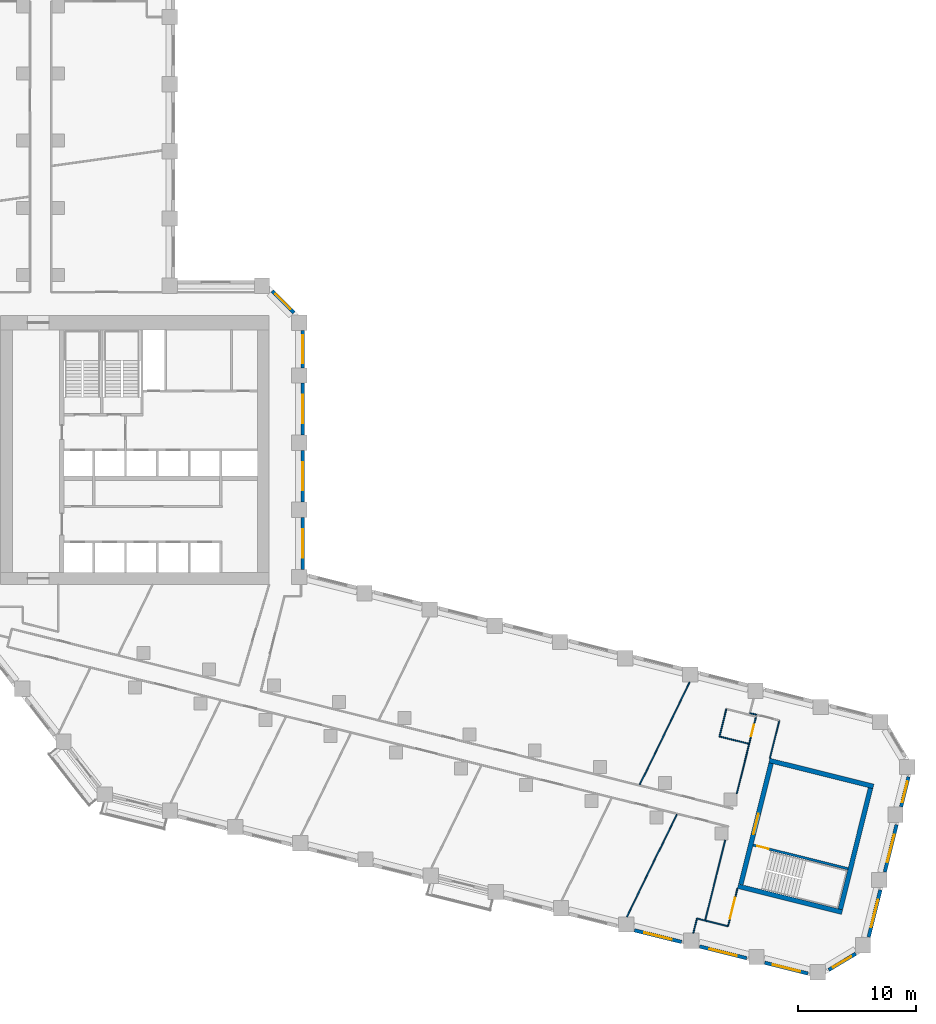
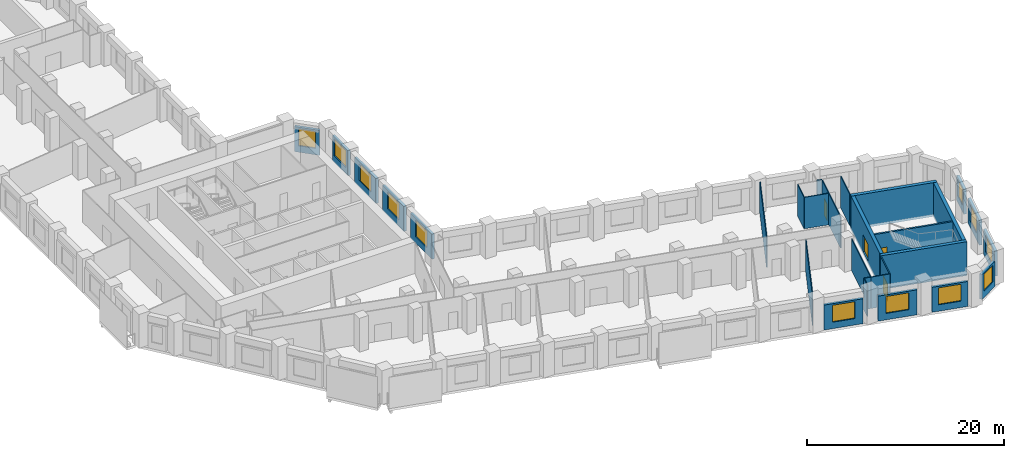
# One storey, part 6 of 11: 29 walls, 12 windows, 4 doors, 16 openings.
"""IFC4 building model written with IfcOpenShell, lengths in metres."""

from ifc_helpers import new_model, si_unit, direction, frame, frame_2d, origin, place, context, subcontext, project, spatial, rectangle, extrude, material, layer, layer_set, type_object, element, fill, save


model = new_model("IFC4")

# Units and contexts
model_context = context("Model", 3, precision=1e-05, world=origin(), true_north=direction((0.0, 1.0)))
body_context = subcontext(model_context, "Body", "Model", "MODEL_VIEW")
ifc_project = project(units=[si_unit("LENGTHUNIT", "METRE"), si_unit("AREAUNIT", "SQUARE_METRE"), si_unit("VOLUMEUNIT", "CUBIC_METRE"), si_unit("PLANEANGLEUNIT", "RADIAN"), si_unit("MASSUNIT", "GRAM", prefix="KILO")], contexts=[model_context])

# Site, building, storey
site_placement = place(None, origin())
site = spatial("IfcSite", under=ifc_project, at=site_placement, CompositionType="ELEMENT")
building_placement = place(site_placement, origin())
building = spatial("IfcBuilding", under=site, at=building_placement, Name="Meshkara Civic Tower", CompositionType="ELEMENT")
storey_placement = place(building_placement, frame((0.0, 0.0, 105.60009765625)))
storey = spatial("IfcBuildingStorey", under=building, at=storey_placement, Name="L23", CompositionType="ELEMENT", Elevation=105.60009765625)

# Walls
ifc_material_1 = material(Name="Corridor wall 100")
ifc_layer_1 = layer(ifc_material_1, 0.10009765625)
ifc_layer_set_1 = layer_set([ifc_layer_1], Name="Corridor wall 100")
wall_type_1 = type_object("IfcWallType", Name="Corridor wall 100", PredefinedType="PARTITIONING", material=ifc_layer_set_1)
wall_1_placement = place(storey_placement, frame((67.79296875, -14.428955078125, 0.0), z_axis=(0.0, 0.0, 1.0), x_axis=(0.9702715884, -0.242018686767, 0.0)))
element("IfcWall", 1, at=wall_1_placement, inside=storey, type_object=wall_type_1, Name="L23-W025", PredefinedType="PARTITIONING", context=body_context, shape_type="SweptSolid", body=[
    extrude(rectangle(XDim=2.00048828125, YDim=0.10009765625, at=frame_2d((1.000244140625, 0.0))), origin(), (0.0, 0.0, 1.0), 3.89990234375),
])
wall_2_placement = place(storey_placement, frame((69.49609375, -7.60009765625, 0.0), z_axis=(0.0, 0.0, 1.0), x_axis=(-0.241988728544, -0.970279060507, 0.0)))
element("IfcWall", 2, at=wall_2_placement, inside=storey, type_object=wall_type_1, Name="L23-W026", PredefinedType="PARTITIONING", context=body_context, shape_type="SweptSolid", body=[
    extrude(rectangle(XDim=7.0380859375, YDim=0.10009765625, at=frame_2d((3.51904296875, 0.0))), origin(), (0.0, 0.0, 1.0), 3.89990234375),
])

# Wall, opening, door
wall_3_placement = place(storey_placement, frame((69.73388671875, -14.9130859375, 0.0), z_axis=(0.0, 0.0, 1.0), x_axis=(0.241839284064, 0.97031631991, 0.0)))
wall_3 = element("IfcWall", 3, at=wall_3_placement, inside=storey, type_object=wall_type_1, Name="L23-W027", PredefinedType="PARTITIONING", context=body_context, shape_type="SweptSolid", body=[
    extrude(rectangle(XDim=3.300048828125, YDim=0.10009765625, at=frame_2d((1.64990234375, 0.0))), origin(), (0.0, 0.0, 1.0), 3.89990234375),
])
opening_1_placement = place(wall_3_placement, frame((0.679931640625, 0.0, 0.0)))
opening_1 = element("IfcOpeningElement", 4, at=opening_1_placement, cuts=wall_3, Name="Opening L23-D001", PredefinedType="OPENING", context=body_context, shape_type="SweptSolid", body=[
    extrude(rectangle(XDim=1.800048828125, YDim=2.10009765625, at=frame_2d((0.89990234375, 1.050048828125))), frame((0.0, 0.06005859375, 0.0), z_axis=(0.0, -1.0, 0.0), x_axis=(1.0, 0.0, 0.0)), (0.0, 0.0, 1.0), 0.1201171875),
])
ifc_material_2 = material(Name="Door pair 1800 x 2100")
door_type_1 = type_object("IfcDoorType", Name="Door pair 1800 x 2100", OperationType="SINGLE_SWING_LEFT", PredefinedType="DOOR", material=ifc_material_2)
door_1_placement = place(opening_1_placement, origin())
door_1 = element("IfcDoor", 5, at=door_1_placement, inside=storey, type_object=door_type_1, Name="L23-D001", OperationType="DOUBLE_DOOR_SINGLE_SWING", OverallHeight=2.10009765625, OverallWidth=1.800048828125, PredefinedType="DOOR", context=body_context, shape_type="SweptSolid", body=[
    extrude(rectangle(XDim=1.800048828125, YDim=2.10009765625, at=frame_2d((0.89990234375, 1.050048828125))), frame((0.0, 0.02490234375, 0.0), z_axis=(0.0, -1.0, 0.0), x_axis=(1.0, 0.0, 0.0)), (0.0, 0.0, 1.0), 0.050048828125),
])
fill(opening_1, door_1)

wall_4_placement = place(storey_placement, frame((70.47607421875, -3.6689453125, 0.0), z_axis=(0.0, 0.0, 1.0), x_axis=(0.242017211246, 0.970271956443, 0.0)))
wall_4 = element("IfcWall", 6, at=wall_4_placement, inside=storey, type_object=wall_type_1, Name="L23-W028", PredefinedType="PARTITIONING", context=body_context, shape_type="SweptSolid", body=[
    extrude(rectangle(XDim=6.759765625, YDim=0.10009765625, at=frame_2d((3.3798828125, 0.0))), origin(), (0.0, 0.0, 1.0), 3.89990234375),
])
opening_2_placement = place(wall_4_placement, frame((5.0400390625, 0.0, 0.0)))
opening_2 = element("IfcOpeningElement", 7, at=opening_2_placement, cuts=wall_4, Name="Opening L23-D012", PredefinedType="OPENING", context=body_context, shape_type="SweptSolid", body=[
    extrude(rectangle(XDim=1.0, YDim=2.10009765625, at=frame_2d((0.5, 1.050048828125))), frame((0.0, 0.06005859375, 0.0), z_axis=(0.0, -1.0, 0.0), x_axis=(1.0, 0.0, 0.0)), (0.0, 0.0, 1.0), 0.1201171875),
])
ifc_material_3 = material(Name="Door 1000 x 2100")
door_type_2 = type_object("IfcDoorType", Name="Door 1000 x 2100", OperationType="SINGLE_SWING_LEFT", PredefinedType="DOOR", material=ifc_material_3)
door_2_placement = place(opening_2_placement, origin())
door_2 = element("IfcDoor", 8, at=door_2_placement, inside=storey, type_object=door_type_2, Name="L23-D012", OperationType="SINGLE_SWING_LEFT", OverallHeight=2.10009765625, OverallWidth=1.0, PredefinedType="DOOR", context=body_context, shape_type="SweptSolid", body=[
    extrude(rectangle(XDim=1.0, YDim=2.10009765625, at=frame_2d((0.5, 1.050048828125))), frame((0.0, 0.02490234375, 0.0), z_axis=(0.0, -1.0, 0.0), x_axis=(1.0, 0.0, 0.0)), (0.0, 0.0, 1.0), 0.050048828125),
])
fill(opening_2, door_2)

# Wall
wall_5_placement = place(storey_placement, frame((73.2900390625, -0.64990234375, 0.0), z_axis=(0.0, 0.0, 1.0), x_axis=(0.241786986316, 0.970329352977, 0.0)))
element("IfcWall", 9, at=wall_5_placement, inside=storey, type_object=wall_type_1, Name="L23-W029", PredefinedType="PARTITIONING", context=body_context, shape_type="SweptSolid", body=[
    extrude(rectangle(XDim=3.2998046875, YDim=0.10009765625, at=frame_2d((1.64990234375, 0.0))), origin(), (0.0, 0.0, 1.0), 3.89990234375),
])

# Wall, opening, window
ifc_material_4 = material(Name="Insulated infill panel with bronze anodised aluminium cladding", Category="aluminium")
ifc_layer_2 = layer(ifc_material_4, 0.300048828125)
ifc_layer_set_2 = layer_set([ifc_layer_2], Name="EXTERNAL INFILL WALL 300")
wall_type_2 = type_object("IfcWallType", Name="EXTERNAL INFILL WALL 300", PredefinedType="SOLIDWALL", material=ifc_layer_set_2)
wall_6_placement = place(storey_placement, frame((33.64990234375, 15.368896484375, 0.0), z_axis=(0.0, 0.0, 1.0), x_axis=(0.0, 1.0, 0.0)))
wall_6 = element("IfcWall", 10, at=wall_6_placement, inside=storey, type_object=wall_type_2, Name="External wall", PredefinedType="SOLIDWALL", context=body_context, shape_type="SweptSolid", body=[
    extrude(rectangle(XDim=4.400146484375, YDim=0.300048828125, at=frame_2d((2.2001953125, 0.0))), origin(), (0.0, 0.0, 1.0), 3.099853515625),
])
opening_3_placement = place(wall_6_placement, frame((1.0, 0.0, 0.800048828125)))
opening_3 = element("IfcOpeningElement", 11, at=opening_3_placement, cuts=wall_6, Name="Opening W7", PredefinedType="OPENING", context=body_context, shape_type="SweptSolid", body=[
    extrude(rectangle(XDim=2.39990234375, YDim=2.10009765625, at=frame_2d((1.199951171875, 1.050048828125))), frame((0.0, 0.159912109375, 0.0), z_axis=(0.0, -1.0, 0.0), x_axis=(1.0, 0.0, 0.0)), (0.0, 0.0, 1.0), 0.320068359375),
])
ifc_material_5 = material(Name="Tinted double glazing", Category="glass")
window_type_1 = type_object("IfcWindowType", Name="WINDOW 2400x2100", PartitioningType="DOUBLE_PANEL_VERTICAL", PredefinedType="WINDOW", material=ifc_material_5)
window_1_placement = place(opening_3_placement, origin())
window_1 = element("IfcWindow", 12, at=window_1_placement, inside=storey, type_object=window_type_1, Name="Window", OverallHeight=2.10009765625, OverallWidth=2.39990234375, PartitioningType="DOUBLE_PANEL_VERTICAL", PredefinedType="WINDOW", context=body_context, shape_type="SweptSolid", body=[
    extrude(rectangle(XDim=2.39990234375, YDim=2.10009765625, at=frame_2d((1.199951171875, 1.050048828125))), frame((0.0, 0.030029296875, 0.0), z_axis=(0.0, -1.0, 0.0), x_axis=(1.0, 0.0, 0.0)), (0.0, 0.0, 1.0), 0.06005859375),
])
fill(opening_3, window_1)

wall_7_placement = place(storey_placement, frame((33.64990234375, 21.069091796875, 0.0), z_axis=(0.0, 0.0, 1.0), x_axis=(0.0, 1.0, 0.0)))
wall_7 = element("IfcWall", 13, at=wall_7_placement, inside=storey, type_object=wall_type_2, Name="External wall", PredefinedType="SOLIDWALL", context=body_context, shape_type="SweptSolid", body=[
    extrude(rectangle(XDim=4.39990234375, YDim=0.300048828125, at=frame_2d((2.199951171875, 0.0))), origin(), (0.0, 0.0, 1.0), 3.099853515625),
])
opening_4_placement = place(wall_7_placement, frame((1.0, 0.0, 0.800048828125)))
opening_4 = element("IfcOpeningElement", 14, at=opening_4_placement, cuts=wall_7, Name="Opening W7", PredefinedType="OPENING", context=body_context, shape_type="SweptSolid", body=[
    extrude(rectangle(XDim=2.39990234375, YDim=2.10009765625, at=frame_2d((1.199951171875, 1.050048828125))), frame((0.0, 0.159912109375, 0.0), z_axis=(0.0, -1.0, 0.0), x_axis=(1.0, 0.0, 0.0)), (0.0, 0.0, 1.0), 0.320068359375),
])
window_2_placement = place(opening_4_placement, origin())
window_2 = element("IfcWindow", 15, at=window_2_placement, inside=storey, type_object=window_type_1, Name="Window", OverallHeight=2.10009765625, OverallWidth=2.39990234375, PartitioningType="DOUBLE_PANEL_VERTICAL", PredefinedType="WINDOW", context=body_context, shape_type="SweptSolid", body=[
    extrude(rectangle(XDim=2.39990234375, YDim=2.10009765625, at=frame_2d((1.199951171875, 1.050048828125))), frame((0.0, 0.030029296875, 0.0), z_axis=(0.0, -1.0, 0.0), x_axis=(1.0, 0.0, 0.0)), (0.0, 0.0, 1.0), 0.06005859375),
])
fill(opening_4, window_2)

wall_8_placement = place(storey_placement, frame((33.64990234375, 26.76904296875, 0.0), z_axis=(0.0, 0.0, 1.0), x_axis=(0.0, 1.0, 0.0)))
wall_8 = element("IfcWall", 16, at=wall_8_placement, inside=storey, type_object=wall_type_2, Name="External wall", PredefinedType="SOLIDWALL", context=body_context, shape_type="SweptSolid", body=[
    extrude(rectangle(XDim=4.39990234375, YDim=0.300048828125, at=frame_2d((2.199951171875, 0.0))), origin(), (0.0, 0.0, 1.0), 3.099853515625),
])
opening_5_placement = place(wall_8_placement, frame((1.0, 0.0, 0.800048828125)))
opening_5 = element("IfcOpeningElement", 17, at=opening_5_placement, cuts=wall_8, Name="Opening W7", PredefinedType="OPENING", context=body_context, shape_type="SweptSolid", body=[
    extrude(rectangle(XDim=2.39990234375, YDim=2.10009765625, at=frame_2d((1.199951171875, 1.050048828125))), frame((0.0, 0.159912109375, 0.0), z_axis=(0.0, -1.0, 0.0), x_axis=(1.0, 0.0, 0.0)), (0.0, 0.0, 1.0), 0.320068359375),
])
window_3_placement = place(opening_5_placement, origin())
window_3 = element("IfcWindow", 18, at=window_3_placement, inside=storey, type_object=window_type_1, Name="Window", OverallHeight=2.10009765625, OverallWidth=2.39990234375, PartitioningType="DOUBLE_PANEL_VERTICAL", PredefinedType="WINDOW", context=body_context, shape_type="SweptSolid", body=[
    extrude(rectangle(XDim=2.39990234375, YDim=2.10009765625, at=frame_2d((1.199951171875, 1.050048828125))), frame((0.0, 0.030029296875, 0.0), z_axis=(0.0, -1.0, 0.0), x_axis=(1.0, 0.0, 0.0)), (0.0, 0.0, 1.0), 0.06005859375),
])
fill(opening_5, window_3)

wall_9_placement = place(storey_placement, frame((33.64990234375, 32.468994140625, 0.0), z_axis=(0.0, 0.0, 1.0), x_axis=(0.0, 1.0, 0.0)))
wall_9 = element("IfcWall", 19, at=wall_9_placement, inside=storey, type_object=wall_type_2, Name="External wall", PredefinedType="SOLIDWALL", context=body_context, shape_type="SweptSolid", body=[
    extrude(rectangle(XDim=3.175048828125, YDim=0.300048828125, at=frame_2d((1.58740234375, 0.0))), origin(), (0.0, 0.0, 1.0), 3.099853515625),
])
opening_6_placement = place(wall_9_placement, frame((0.387939453125, 0.0, 0.800048828125)))
opening_6 = element("IfcOpeningElement", 20, at=opening_6_placement, cuts=wall_9, Name="Opening W7", PredefinedType="OPENING", context=body_context, shape_type="SweptSolid", body=[
    extrude(rectangle(XDim=2.39990234375, YDim=2.10009765625, at=frame_2d((1.199951171875, 1.050048828125))), frame((0.0, 0.159912109375, 0.0), z_axis=(0.0, -1.0, 0.0), x_axis=(1.0, 0.0, 0.0)), (0.0, 0.0, 1.0), 0.320068359375),
])
window_4_placement = place(opening_6_placement, origin())
window_4 = element("IfcWindow", 21, at=window_4_placement, inside=storey, type_object=window_type_1, Name="Window", OverallHeight=2.10009765625, OverallWidth=2.39990234375, PartitioningType="DOUBLE_PANEL_VERTICAL", PredefinedType="WINDOW", context=body_context, shape_type="SweptSolid", body=[
    extrude(rectangle(XDim=2.39990234375, YDim=2.10009765625, at=frame_2d((1.199951171875, 1.050048828125))), frame((0.0, 0.030029296875, 0.0), z_axis=(0.0, -1.0, 0.0), x_axis=(1.0, 0.0, 0.0)), (0.0, 0.0, 1.0), 0.06005859375),
])
fill(opening_6, window_4)

wall_10_placement = place(storey_placement, frame((32.912109375, 37.156005859375, 0.0), z_axis=(0.0, 0.0, 1.0), x_axis=(-0.707153284542, 0.707060274772, 0.0)))
wall_10 = element("IfcWall", 22, at=wall_10_placement, inside=storey, type_object=wall_type_2, Name="External wall", PredefinedType="SOLIDWALL", context=body_context, shape_type="SweptSolid", body=[
    extrude(rectangle(XDim=2.625, YDim=0.300048828125, at=frame_2d((1.3125, 0.0))), origin(), (0.0, 0.0, 1.0), 3.099853515625),
])
opening_7_placement = place(wall_10_placement, frame((0.412109375, 0.0, 0.800048828125)))
opening_7 = element("IfcOpeningElement", 23, at=opening_7_placement, cuts=wall_10, Name="Opening W9", PredefinedType="OPENING", context=body_context, shape_type="SweptSolid", body=[
    extrude(rectangle(XDim=1.800048828125, YDim=2.10009765625, at=frame_2d((0.89990234375, 1.050048828125))), frame((0.0, 0.159912109375, 0.0), z_axis=(0.0, -1.0, 0.0), x_axis=(1.0, 0.0, 0.0)), (0.0, 0.0, 1.0), 0.320068359375),
])
ifc_material_6 = material(Name="Tinted double glazing", Category="glass")
window_type_2 = type_object("IfcWindowType", Name="WINDOW 1800x2100", PartitioningType="DOUBLE_PANEL_VERTICAL", PredefinedType="WINDOW", material=ifc_material_6)
window_5_placement = place(opening_7_placement, origin())
window_5 = element("IfcWindow", 24, at=window_5_placement, inside=storey, type_object=window_type_2, Name="Window", OverallHeight=2.10009765625, OverallWidth=1.800048828125, PartitioningType="DOUBLE_PANEL_VERTICAL", PredefinedType="WINDOW", context=body_context, shape_type="SweptSolid", body=[
    extrude(rectangle(XDim=1.800048828125, YDim=2.10009765625, at=frame_2d((0.89990234375, 1.050048828125))), frame((0.0, 0.030029296875, 0.0), z_axis=(0.0, -1.0, 0.0), x_axis=(1.0, 0.0, 0.0)), (0.0, 0.0, 1.0), 0.06005859375),
])
fill(opening_7, window_5)

wall_11_placement = place(storey_placement, frame((61.7890625, -15.2509765625, 0.0), z_axis=(0.0, 0.0, 1.0), x_axis=(0.970323340708, -0.24181111322, 0.0)))
wall_11 = element("IfcWall", 25, at=wall_11_placement, inside=storey, type_object=wall_type_2, Name="External wall", PredefinedType="SOLIDWALL", context=body_context, shape_type="SweptSolid", body=[
    extrude(rectangle(XDim=4.123291015625, YDim=0.300048828125, at=frame_2d((2.0615234375, 0.0))), origin(), (0.0, 0.0, 1.0), 3.099853515625),
])
opening_8_placement = place(wall_11_placement, frame((0.862060546875, 0.0, 0.800048828125)))
opening_8 = element("IfcOpeningElement", 26, at=opening_8_placement, cuts=wall_11, Name="Opening W7", PredefinedType="OPENING", context=body_context, shape_type="SweptSolid", body=[
    extrude(rectangle(XDim=2.39990234375, YDim=2.10009765625, at=frame_2d((1.199951171875, 1.050048828125))), frame((0.0, 0.159912109375, 0.0), z_axis=(0.0, -1.0, 0.0), x_axis=(1.0, 0.0, 0.0)), (0.0, 0.0, 1.0), 0.320068359375),
])
window_6_placement = place(opening_8_placement, origin())
window_6 = element("IfcWindow", 27, at=window_6_placement, inside=storey, type_object=window_type_1, Name="Window", OverallHeight=2.10009765625, OverallWidth=2.39990234375, PartitioningType="DOUBLE_PANEL_VERTICAL", PredefinedType="WINDOW", context=body_context, shape_type="SweptSolid", body=[
    extrude(rectangle(XDim=2.39990234375, YDim=2.10009765625, at=frame_2d((1.199951171875, 1.050048828125))), frame((0.0, 0.030029296875, 0.0), z_axis=(0.0, -1.0, 0.0), x_axis=(1.0, 0.0, 0.0)), (0.0, 0.0, 1.0), 0.06005859375),
])
fill(opening_8, window_6)

wall_12_placement = place(storey_placement, frame((67.319091796875, -16.6298828125, 0.0), z_axis=(0.0, 0.0, 1.0), x_axis=(0.970337184445, -0.241755555227, 0.0)))
wall_12 = element("IfcWall", 28, at=wall_12_placement, inside=storey, type_object=wall_type_2, Name="External wall", PredefinedType="SOLIDWALL", context=body_context, shape_type="SweptSolid", body=[
    extrude(rectangle(XDim=4.124267578125, YDim=0.300048828125, at=frame_2d((2.06201171875, 0.0))), origin(), (0.0, 0.0, 1.0), 3.099853515625),
])
opening_9_placement = place(wall_12_placement, frame((0.862060546875, 0.0, 0.800048828125)))
opening_9 = element("IfcOpeningElement", 29, at=opening_9_placement, cuts=wall_12, Name="Opening W7", PredefinedType="OPENING", context=body_context, shape_type="SweptSolid", body=[
    extrude(rectangle(XDim=2.39990234375, YDim=2.10009765625, at=frame_2d((1.199951171875, 1.050048828125))), frame((0.0, 0.159912109375, 0.0), z_axis=(0.0, -1.0, 0.0), x_axis=(1.0, 0.0, 0.0)), (0.0, 0.0, 1.0), 0.320068359375),
])
window_7_placement = place(opening_9_placement, origin())
window_7 = element("IfcWindow", 30, at=window_7_placement, inside=storey, type_object=window_type_1, Name="Window", OverallHeight=2.10009765625, OverallWidth=2.39990234375, PartitioningType="DOUBLE_PANEL_VERTICAL", PredefinedType="WINDOW", context=body_context, shape_type="SweptSolid", body=[
    extrude(rectangle(XDim=2.39990234375, YDim=2.10009765625, at=frame_2d((1.199951171875, 1.050048828125))), frame((0.0, 0.030029296875, 0.0), z_axis=(0.0, -1.0, 0.0), x_axis=(1.0, 0.0, 0.0)), (0.0, 0.0, 1.0), 0.06005859375),
])
fill(opening_9, window_7)

wall_13_placement = place(storey_placement, frame((72.85009765625, -18.009033203125, 0.0), z_axis=(0.0, 0.0, 1.0), x_axis=(0.970309295155, -0.241867467295, 0.0)))
wall_13 = element("IfcWall", 31, at=wall_13_placement, inside=storey, type_object=wall_type_2, Name="External wall", PredefinedType="SOLIDWALL", context=body_context, shape_type="SweptSolid", body=[
    extrude(rectangle(XDim=3.783203125, YDim=0.300048828125, at=frame_2d((1.8916015625, 0.0))), origin(), (0.0, 0.0, 1.0), 3.099853515625),
])
opening_10_placement = place(wall_13_placement, frame((0.69189453125, 0.0, 0.800048828125)))
opening_10 = element("IfcOpeningElement", 32, at=opening_10_placement, cuts=wall_13, Name="Opening W7", PredefinedType="OPENING", context=body_context, shape_type="SweptSolid", body=[
    extrude(rectangle(XDim=2.39990234375, YDim=2.10009765625, at=frame_2d((1.199951171875, 1.050048828125))), frame((0.0, 0.159912109375, 0.0), z_axis=(0.0, -1.0, 0.0), x_axis=(1.0, 0.0, 0.0)), (0.0, 0.0, 1.0), 0.320068359375),
])
window_8_placement = place(opening_10_placement, origin())
window_8 = element("IfcWindow", 33, at=window_8_placement, inside=storey, type_object=window_type_1, Name="Window", OverallHeight=2.10009765625, OverallWidth=2.39990234375, PartitioningType="DOUBLE_PANEL_VERTICAL", PredefinedType="WINDOW", context=body_context, shape_type="SweptSolid", body=[
    extrude(rectangle(XDim=2.39990234375, YDim=2.10009765625, at=frame_2d((1.199951171875, 1.050048828125))), frame((0.0, 0.030029296875, 0.0), z_axis=(0.0, -1.0, 0.0), x_axis=(1.0, 0.0, 0.0)), (0.0, 0.0, 1.0), 0.06005859375),
])
fill(opening_10, window_8)

wall_14_placement = place(storey_placement, frame((78.277099609375, -18.62109375, 0.0), z_axis=(0.0, 0.0, 1.0), x_axis=(0.857066424989, 0.515205923061, 0.0)))
wall_14 = element("IfcWall", 34, at=wall_14_placement, inside=storey, type_object=wall_type_2, Name="External wall", PredefinedType="SOLIDWALL", context=body_context, shape_type="SweptSolid", body=[
    extrude(rectangle(XDim=2.6787109375, YDim=0.300048828125, at=frame_2d((1.33935546875, 0.0))), origin(), (0.0, 0.0, 1.0), 3.099853515625),
])
opening_11_placement = place(wall_14_placement, frame((0.43896484375, 0.0, 0.800048828125)))
opening_11 = element("IfcOpeningElement", 35, at=opening_11_placement, cuts=wall_14, Name="Opening W9", PredefinedType="OPENING", context=body_context, shape_type="SweptSolid", body=[
    extrude(rectangle(XDim=1.800048828125, YDim=2.10009765625, at=frame_2d((0.89990234375, 1.050048828125))), frame((0.0, 0.159912109375, 0.0), z_axis=(0.0, -1.0, 0.0), x_axis=(1.0, 0.0, 0.0)), (0.0, 0.0, 1.0), 0.320068359375),
])
window_9_placement = place(opening_11_placement, origin())
window_9 = element("IfcWindow", 36, at=window_9_placement, inside=storey, type_object=window_type_2, Name="Window", OverallHeight=2.10009765625, OverallWidth=1.800048828125, PartitioningType="DOUBLE_PANEL_VERTICAL", PredefinedType="WINDOW", context=body_context, shape_type="SweptSolid", body=[
    extrude(rectangle(XDim=1.800048828125, YDim=2.10009765625, at=frame_2d((0.89990234375, 1.050048828125))), frame((0.0, 0.030029296875, 0.0), z_axis=(0.0, -1.0, 0.0), x_axis=(1.0, 0.0, 0.0)), (0.0, 0.0, 1.0), 0.06005859375),
])
fill(opening_11, window_9)

wall_15_placement = place(storey_placement, frame((81.6650390625, -15.83203125, 0.0), z_axis=(0.0, 0.0, 1.0), x_axis=(0.241978480223, 0.970281616392, 0.0)))
wall_15 = element("IfcWall", 37, at=wall_15_placement, inside=storey, type_object=wall_type_2, Name="External wall", PredefinedType="SOLIDWALL", context=body_context, shape_type="SweptSolid", body=[
    extrude(rectangle(XDim=4.12451171875, YDim=0.300048828125, at=frame_2d((2.062255859375, 0.0))), origin(), (0.0, 0.0, 1.0), 3.099853515625),
])
opening_12_placement = place(wall_15_placement, frame((0.862060546875, 0.0, 0.800048828125)))
opening_12 = element("IfcOpeningElement", 38, at=opening_12_placement, cuts=wall_15, Name="Opening W7", PredefinedType="OPENING", context=body_context, shape_type="SweptSolid", body=[
    extrude(rectangle(XDim=2.39990234375, YDim=2.10009765625, at=frame_2d((1.199951171875, 1.050048828125))), frame((0.0, 0.159912109375, 0.0), z_axis=(0.0, -1.0, 0.0), x_axis=(1.0, 0.0, 0.0)), (0.0, 0.0, 1.0), 0.320068359375),
])
window_10_placement = place(opening_12_placement, origin())
window_10 = element("IfcWindow", 39, at=window_10_placement, inside=storey, type_object=window_type_1, Name="Window", OverallHeight=2.10009765625, OverallWidth=2.39990234375, PartitioningType="DOUBLE_PANEL_VERTICAL", PredefinedType="WINDOW", context=body_context, shape_type="SweptSolid", body=[
    extrude(rectangle(XDim=2.39990234375, YDim=2.10009765625, at=frame_2d((1.199951171875, 1.050048828125))), frame((0.0, 0.030029296875, 0.0), z_axis=(0.0, -1.0, 0.0), x_axis=(1.0, 0.0, 0.0)), (0.0, 0.0, 1.0), 0.06005859375),
])
fill(opening_12, window_10)

wall_16_placement = place(storey_placement, frame((83.0439453125, -10.301025390625, 0.0), z_axis=(0.0, 0.0, 1.0), x_axis=(0.242034083076, 0.970267747908, 0.0)))
wall_16 = element("IfcWall", 40, at=wall_16_placement, inside=storey, type_object=wall_type_2, Name="External wall", PredefinedType="SOLIDWALL", context=body_context, shape_type="SweptSolid", body=[
    extrude(rectangle(XDim=4.12353515625, YDim=0.300048828125, at=frame_2d((2.061767578125, 0.0))), origin(), (0.0, 0.0, 1.0), 3.099853515625),
])
opening_13_placement = place(wall_16_placement, frame((0.862060546875, 0.0, 0.800048828125)))
opening_13 = element("IfcOpeningElement", 41, at=opening_13_placement, cuts=wall_16, Name="Opening W7", PredefinedType="OPENING", context=body_context, shape_type="SweptSolid", body=[
    extrude(rectangle(XDim=2.39990234375, YDim=2.10009765625, at=frame_2d((1.199951171875, 1.050048828125))), frame((0.0, 0.159912109375, 0.0), z_axis=(0.0, -1.0, 0.0), x_axis=(1.0, 0.0, 0.0)), (0.0, 0.0, 1.0), 0.320068359375),
])
window_11_placement = place(opening_13_placement, origin())
window_11 = element("IfcWindow", 42, at=window_11_placement, inside=storey, type_object=window_type_1, Name="Window", OverallHeight=2.10009765625, OverallWidth=2.39990234375, PartitioningType="DOUBLE_PANEL_VERTICAL", PredefinedType="WINDOW", context=body_context, shape_type="SweptSolid", body=[
    extrude(rectangle(XDim=2.39990234375, YDim=2.10009765625, at=frame_2d((1.199951171875, 1.050048828125))), frame((0.0, 0.030029296875, 0.0), z_axis=(0.0, -1.0, 0.0), x_axis=(1.0, 0.0, 0.0)), (0.0, 0.0, 1.0), 0.06005859375),
])
fill(opening_13, window_11)

wall_17_placement = place(storey_placement, frame((84.423095703125, -4.77099609375, 0.0), z_axis=(0.0, 0.0, 1.0), x_axis=(0.241941668773, 0.970290796056, 0.0)))
wall_17 = element("IfcWall", 43, at=wall_17_placement, inside=storey, type_object=wall_type_2, Name="External wall", PredefinedType="SOLIDWALL", context=body_context, shape_type="SweptSolid", body=[
    extrude(rectangle(XDim=2.611572265625, YDim=0.300048828125, at=frame_2d((1.3056640625, 0.0))), origin(), (0.0, 0.0, 1.0), 3.099853515625),
])
opening_14_placement = place(wall_17_placement, frame((0.406005859375, 0.0, 0.800048828125)))
opening_14 = element("IfcOpeningElement", 44, at=opening_14_placement, cuts=wall_17, Name="Opening W9", PredefinedType="OPENING", context=body_context, shape_type="SweptSolid", body=[
    extrude(rectangle(XDim=1.800048828125, YDim=2.10009765625, at=frame_2d((0.89990234375, 1.050048828125))), frame((0.0, 0.159912109375, 0.0), z_axis=(0.0, -1.0, 0.0), x_axis=(1.0, 0.0, 0.0)), (0.0, 0.0, 1.0), 0.320068359375),
])
window_12_placement = place(opening_14_placement, origin())
window_12 = element("IfcWindow", 45, at=window_12_placement, inside=storey, type_object=window_type_2, Name="Window", OverallHeight=2.10009765625, OverallWidth=1.800048828125, PartitioningType="DOUBLE_PANEL_VERTICAL", PredefinedType="WINDOW", context=body_context, shape_type="SweptSolid", body=[
    extrude(rectangle(XDim=1.800048828125, YDim=2.10009765625, at=frame_2d((0.89990234375, 1.050048828125))), frame((0.0, 0.030029296875, 0.0), z_axis=(0.0, -1.0, 0.0), x_axis=(1.0, 0.0, 0.0)), (0.0, 0.0, 1.0), 0.06005859375),
])
fill(opening_14, window_12)

# Walls
ifc_material_7 = material(Name="Concrete C70", Category="concrete")
ifc_layer_3 = layer(ifc_material_7, 0.39990234375)
ifc_layer_set_3 = layer_set([ifc_layer_3], Name="End core ring wall 400 C70")
wall_type_3 = type_object("IfcWallType", Name="End core ring wall 400 C70", PredefinedType="SHEAR", material=ifc_layer_set_3)
for number, where, z_axis, x_axis, name in (
    (46, (70.580078125, -11.51708984375, -0.300048828125), (0.0, 0.0, 1.0), (0.970285938441, -0.241961149081, 0.0), "L23-C031"),
    (47, (73.240966796875, -0.843994140625, -0.300048828125), (0.0, 0.0, 1.0), (0.970312696888, -0.241853820019, 0.0), "L23-C032"),
):
    element("IfcWall", number, at=place(storey_placement, frame(where, z_axis=z_axis, x_axis=x_axis)), inside=storey, type_object=wall_type_3, Name=name, PredefinedType="SHEAR", context=body_context, shape_type="SweptSolid", body=[
        extrude(rectangle(XDim=9.100341796875, YDim=0.39990234375, at=frame_2d((4.55029296875, 0.0))), origin(), (0.0, 0.0, 1.0), 4.199951171875),
    ])

# Wall, opening, door
wall_18_placement = place(storey_placement, frame((70.822998046875, -11.37109375, -0.300048828125), z_axis=(0.0, 0.0, 1.0), x_axis=(0.241885246693, 0.97030486314, 0.0)))
wall_18 = element("IfcWall", 48, at=wall_18_placement, inside=storey, type_object=wall_type_3, Name="L23-C033", PredefinedType="SHEAR", context=body_context, shape_type="SweptSolid", body=[
    extrude(rectangle(XDim=10.599853515625, YDim=0.39990234375, at=frame_2d((5.2998046875, 0.0))), origin(), (0.0, 0.0, 1.0), 4.199951171875),
])
opening_15_placement = place(wall_18_placement, frame((4.39990234375, 0.0, 0.300048828125)))
opening_15 = element("IfcOpeningElement", 49, at=opening_15_placement, cuts=wall_18, Name="Opening L23-K202", PredefinedType="OPENING", context=body_context, shape_type="SweptSolid", body=[
    extrude(rectangle(XDim=1.800048828125, YDim=2.10009765625, at=frame_2d((0.89990234375, 1.050048828125))), frame((0.0, 0.2099609375, 0.0), z_axis=(0.0, -1.0, 0.0), x_axis=(1.0, 0.0, 0.0)), (0.0, 0.0, 1.0), 0.419921875),
])
ifc_material_8 = material(Name="Fire-rated door leaf in steel frame", Category="steel")
door_type_3 = type_object("IfcDoorType", Name="Core double door 1800 EI 60", OperationType="DOUBLE_DOOR_SINGLE_SWING", PredefinedType="DOOR", material=ifc_material_8)
door_3_placement = place(opening_15_placement, origin())
door_3 = element("IfcDoor", 50, at=door_3_placement, inside=storey, type_object=door_type_3, Name="L23-K202", OperationType="DOUBLE_DOOR_SINGLE_SWING", OverallHeight=2.10009765625, OverallWidth=1.800048828125, PredefinedType="DOOR", context=body_context, shape_type="SweptSolid", body=[
    extrude(rectangle(XDim=1.800048828125, YDim=2.10009765625, at=frame_2d((0.89990234375, 1.050048828125))), frame((0.0, 0.02490234375, 0.0), z_axis=(0.0, -1.0, 0.0), x_axis=(1.0, 0.0, 0.0)), (0.0, 0.0, 1.0), 0.050048828125),
])
fill(opening_15, door_3)

# Walls
wall_19_placement = place(storey_placement, frame((79.263916015625, -13.47607421875, -0.300048828125), z_axis=(0.0, 0.0, 1.0), x_axis=(0.241993665753, 0.970277829148, 0.0)))
element("IfcWall", 51, at=wall_19_placement, inside=storey, type_object=wall_type_3, Name="L23-C034", PredefinedType="SHEAR", context=body_context, shape_type="SweptSolid", body=[
    extrude(rectangle(XDim=10.60009765625, YDim=0.39990234375, at=frame_2d((5.300048828125, 0.0))), origin(), (0.0, 0.0, 1.0), 4.199951171875),
])
ifc_material_9 = material(Name="Partition 100")
ifc_layer_4 = layer(ifc_material_9, 0.10009765625)
ifc_layer_set_4 = layer_set([ifc_layer_4], Name="Partition 100")
wall_type_4 = type_object("IfcWallType", Name="Partition 100", PredefinedType="PARTITIONING", material=ifc_layer_set_4)
wall_20_placement = place(storey_placement, frame((61.14794921875, -14.118896484375, 0.0), z_axis=(0.0, 0.0, 1.0), x_axis=(0.438349551757, 0.898804578579, 0.0)))
element("IfcWall", 52, at=wall_20_placement, inside=storey, type_object=wall_type_4, Name="L23-W049", PredefinedType="PARTITIONING", context=body_context, shape_type="SweptSolid", body=[
    extrude(rectangle(XDim=9.6748046875, YDim=0.10009765625, at=frame_2d((4.83740234375, 0.0))), origin(), (0.0, 0.0, 1.0), 3.89990234375),
])
wall_21_placement = place(storey_placement, frame((62.241943359375, -2.89990234375, 0.0), z_axis=(0.0, 0.0, 1.0), x_axis=(0.438389323653, 0.898785180623, 0.0)))
element("IfcWall", 53, at=wall_21_placement, inside=storey, type_object=wall_type_4, Name="L23-W050", PredefinedType="PARTITIONING", context=body_context, shape_type="SweptSolid", body=[
    extrude(rectangle(XDim=9.674072265625, YDim=0.10009765625, at=frame_2d((4.8369140625, 0.0))), origin(), (0.0, 0.0, 1.0), 3.89990234375),
])
wall_22_placement = place(storey_placement, frame((66.7890625, -15.498046875, 0.0), z_axis=(0.0, 0.0, 1.0), x_axis=(0.242221476086, 0.970220983345, 0.0)))
element("IfcWall", 54, at=wall_22_placement, inside=storey, type_object=wall_type_4, Name="L23-W051", PredefinedType="PARTITIONING", context=body_context, shape_type="SweptSolid", body=[
    extrude(rectangle(XDim=1.280029296875, YDim=0.10009765625, at=frame_2d((0.64013671875, 0.0))), origin(), (0.0, 0.0, 1.0), 3.89990234375),
])
wall_23_placement = place(storey_placement, frame((67.09912109375, -14.256103515625, 0.0), z_axis=(0.0, 0.0, 1.0), x_axis=(0.970361718061, -0.24165706305, 0.0)))
element("IfcWall", 55, at=wall_23_placement, inside=storey, type_object=wall_type_4, Name="L23-W052", PredefinedType="PARTITIONING", context=body_context, shape_type="SweptSolid", body=[
    extrude(rectangle(XDim=0.71923828125, YDim=0.10009765625, at=frame_2d((0.359619140625, 0.0))), origin(), (0.0, 0.0, 1.0), 3.89990234375),
])
wall_24_placement = place(storey_placement, frame((69.008056640625, 1.19091796875, 0.0), z_axis=(0.0, 0.0, 1.0), x_axis=(0.242056985565, 0.970262034576, 0.0)))
element("IfcWall", 56, at=wall_24_placement, inside=storey, type_object=wall_type_4, Name="L23-W053", PredefinedType="PARTITIONING", context=body_context, shape_type="SweptSolid", body=[
    extrude(rectangle(XDim=2.400390625, YDim=0.10009765625, at=frame_2d((1.2001953125, 0.0))), origin(), (0.0, 0.0, 1.0), 3.89990234375),
])
wall_25_placement = place(storey_placement, frame((71.48193359375, 0.573974609375, 0.0), z_axis=(0.0, 0.0, 1.0), x_axis=(-0.970283152478, 0.241972320765, 0.0)))
element("IfcWall", 57, at=wall_25_placement, inside=storey, type_object=wall_type_4, Name="L23-W055", PredefinedType="PARTITIONING", context=body_context, shape_type="SweptSolid", body=[
    extrude(rectangle(XDim=2.549560546875, YDim=0.10009765625, at=frame_2d((1.27490234375, 0.0))), origin(), (0.0, 0.0, 1.0), 3.89990234375),
])
wall_26_placement = place(storey_placement, frame((72.152099609375, 3.034912109375, 0.0), z_axis=(0.0, 0.0, 1.0), x_axis=(-0.97039125345, 0.241538434265, 0.0)))
element("IfcWall", 58, at=wall_26_placement, inside=storey, type_object=wall_type_4, Name="L23-W057", PredefinedType="PARTITIONING", context=body_context, shape_type="SweptSolid", body=[
    extrude(rectangle(XDim=0.576171875, YDim=0.10009765625, at=frame_2d((0.2880859375, 0.0))), origin(), (0.0, 0.0, 1.0), 3.89990234375),
])

# Wall, opening, door
ifc_material_10 = material(Name="Concrete C40/50", Category="concrete")
ifc_layer_5 = layer(ifc_material_10, 0.199951171875)
ifc_layer_set_5 = layer_set([ifc_layer_5], Name="Stair enclosure wall 200 C40/50")
wall_type_5 = type_object("IfcWallType", Name="Stair enclosure wall 200 C40/50", PredefinedType="SOLIDWALL", material=ifc_layer_set_5)
wall_27_placement = place(storey_placement, frame((71.864013671875, -8.02392578125, 0.0), z_axis=(0.0, 0.0, 1.0), x_axis=(0.970289402158, -0.241947258837, 0.0)))
wall_27 = element("IfcWall", 59, at=wall_27_placement, inside=storey, type_object=wall_type_5, Name="L23-C035", PredefinedType="SOLIDWALL", context=body_context, shape_type="SweptSolid", body=[
    extrude(rectangle(XDim=8.299560546875, YDim=0.199951171875, at=frame_2d((4.14990234375, 0.0))), origin(), (0.0, 0.0, 1.0), 3.89990234375),
])
opening_16_placement = place(wall_27_placement, frame((0.35009765625, 0.0, 0.0)))
opening_16 = element("IfcOpeningElement", 60, at=opening_16_placement, cuts=wall_27, Name="Opening L23-K201", PredefinedType="OPENING", context=body_context, shape_type="SweptSolid", body=[
    extrude(rectangle(XDim=1.0, YDim=2.10009765625, at=frame_2d((0.5, 1.050048828125))), frame((0.0, 0.10986328125, 0.0), z_axis=(0.0, -1.0, 0.0), x_axis=(1.0, 0.0, 0.0)), (0.0, 0.0, 1.0), 0.219970703125),
])
ifc_material_11 = material(Name="Fire-rated door leaf in steel frame", Category="steel")
door_type_4 = type_object("IfcDoorType", Name="Stair door 1000 EI 120", OperationType="SINGLE_SWING_LEFT", PredefinedType="DOOR", material=ifc_material_11)
door_4_placement = place(opening_16_placement, origin())
door_4 = element("IfcDoor", 61, at=door_4_placement, inside=storey, type_object=door_type_4, Name="L23-K201", OperationType="SINGLE_SWING_LEFT", OverallHeight=2.10009765625, OverallWidth=1.0, PredefinedType="DOOR", context=body_context, shape_type="SweptSolid", body=[
    extrude(rectangle(XDim=1.0, YDim=2.10009765625, at=frame_2d((0.5, 1.050048828125))), frame((0.0, 0.02490234375, 0.0), z_axis=(0.0, -1.0, 0.0), x_axis=(1.0, 0.0, 0.0)), (0.0, 0.0, 1.0), 0.050048828125),
])
fill(opening_16, door_4)

save(model, "model.ifc")
